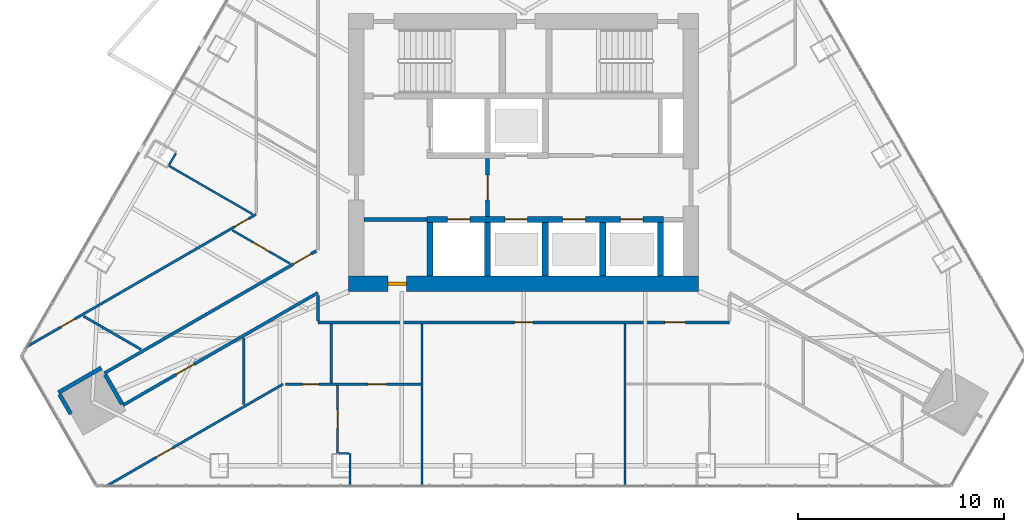
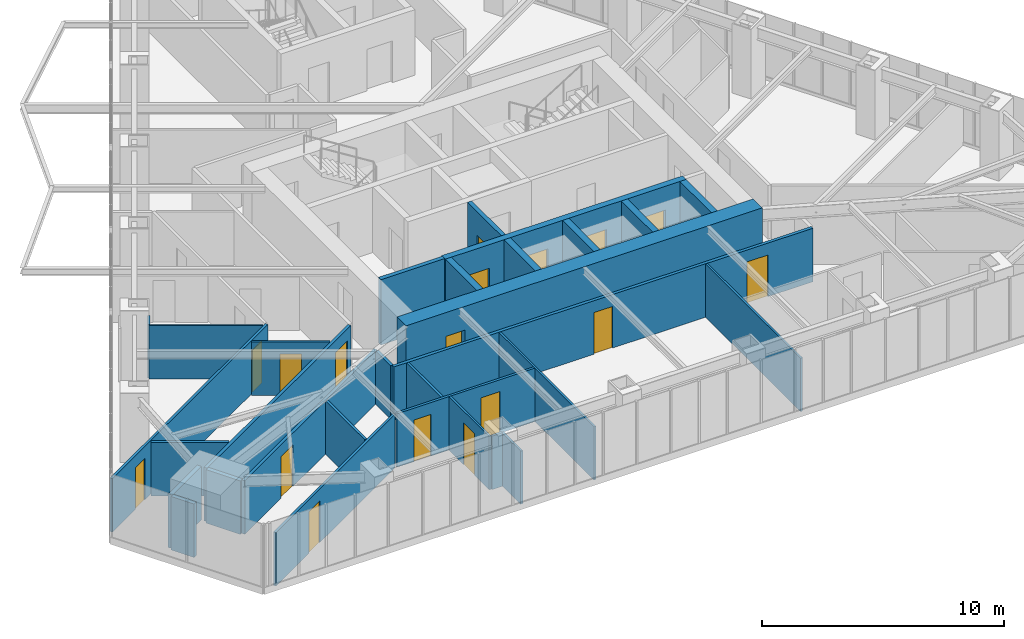
# One storey, part 14 of 19: 30 walls, 17 doors, 17 openings.
"""IFC4 building model written with IfcOpenShell, lengths in metres."""

from ifc_helpers import new_model, si_unit, direction, frame, frame_2d, origin, place, context, subcontext, project, spatial, rectangle, extrude, material, layer, layer_set, type_object, element, fill, save


model = new_model("IFC4")

# Units and contexts
model_context = context("Model", 3, precision=1e-05, world=origin(), true_north=direction((0.0, 1.0)))
body_context = subcontext(model_context, "Body", "Model", "MODEL_VIEW")
ifc_project = project(units=[si_unit("LENGTHUNIT", "METRE"), si_unit("AREAUNIT", "SQUARE_METRE"), si_unit("VOLUMEUNIT", "CUBIC_METRE"), si_unit("PLANEANGLEUNIT", "RADIAN"), si_unit("MASSUNIT", "GRAM", prefix="KILO")], contexts=[model_context])

# Site, building, storey
site_placement = place(None, origin())
site = spatial("IfcSite", under=ifc_project, at=site_placement, CompositionType="ELEMENT")
building_placement = place(site_placement, origin())
building = spatial("IfcBuilding", under=site, at=building_placement, Name="Firuza Gate Tower and Library", CompositionType="ELEMENT")
storey_placement = place(building_placement, frame((0.0, 0.0, 316.10009765625)))
storey = spatial("IfcBuildingStorey", under=building, at=storey_placement, Name="L77", CompositionType="ELEMENT", Elevation=316.10009765625)

# Wall
ifc_material_1 = material(Name="Plasterboard on steel studs", Category="steel")
ifc_layer_1 = layer(ifc_material_1, 0.199951171875)
ifc_layer_set_1 = layer_set([ifc_layer_1], Name="Core partition 200 EI 60")
wall_type_1 = type_object("IfcWallType", Name="Core partition 200 EI 60", PredefinedType="PARTITIONING", material=ifc_layer_set_1)
wall_1_placement = place(storey_placement, frame((67.25, 71.75, 0.0), z_axis=(0.0, 0.0, 1.0), x_axis=(1.0, 0.0, 0.0)))
element("IfcWall", 1, at=wall_1_placement, inside=storey, type_object=wall_type_1, Name="Core partition L77 1", PredefinedType="PARTITIONING", context=body_context, shape_type="SweptSolid", body=[
    extrude(rectangle(XDim=3.050048828125, YDim=0.199951171875, at=frame_2d((1.52490234375, 0.0))), origin(), (0.0, 0.0, 1.0), 3.2998046875),
])

# Wall, opening, door
wall_2_placement = place(storey_placement, frame((73.25, 71.89990234375, 0.0), z_axis=(0.0, 0.0, 1.0), x_axis=(0.0, 1.0, 0.0)))
wall_2 = element("IfcWall", 2, at=wall_2_placement, inside=storey, type_object=wall_type_1, Name="Core partition L77 4", PredefinedType="PARTITIONING", context=body_context, shape_type="SweptSolid", body=[
    extrude(rectangle(XDim=2.800048828125, YDim=0.199951171875, at=frame_2d((1.39990234375, 0.0))), origin(), (0.0, 0.0, 1.0), 3.2998046875),
])
opening_1_placement = place(wall_2_placement, frame((0.800048828125, 0.0, 0.0)))
opening_1 = element("IfcOpeningElement", 3, at=opening_1_placement, cuts=wall_2, Name="Opening L77-K14", PredefinedType="OPENING", context=body_context, shape_type="SweptSolid", body=[
    extrude(rectangle(XDim=1.199951171875, YDim=2.10009765625, at=frame_2d((0.60009765625, 1.050048828125))), frame((0.0, 0.10986328125, 0.0), z_axis=(0.0, -1.0, 0.0), x_axis=(1.0, 0.0, 0.0)), (0.0, 0.0, 1.0), 0.219970703125),
])
ifc_material_2 = material(Name="Steel", Category="steel")
door_type_1 = type_object("IfcDoorType", Name="Fire door 1200x2100 FD90S", OperationType="NOTDEFINED", PredefinedType="DOOR", material=ifc_material_2)
door_1_placement = place(opening_1_placement, origin())
door_1 = element("IfcDoor", 4, at=door_1_placement, inside=storey, type_object=door_type_1, Name="Door L77-K14", OperationType="SINGLE_SWING_LEFT", OverallHeight=2.10009765625, OverallWidth=1.199951171875, PredefinedType="DOOR", context=body_context, shape_type="SweptSolid", body=[
    extrude(rectangle(XDim=1.199951171875, YDim=2.10009765625, at=frame_2d((0.60009765625, 1.050048828125))), frame((0.0, 0.02490234375, 0.0), z_axis=(0.0, -1.0, 0.0), x_axis=(1.0, 0.0, 0.0)), (0.0, 0.0, 1.0), 0.050048828125),
])
fill(opening_1, door_1)

# Wall, openings, doors
ifc_material_3 = material(Name="Concrete C60/75", Category="concrete")
ifc_layer_2 = layer(ifc_material_3, 0.300048828125)
ifc_layer_set_2 = layer_set([ifc_layer_2], Name="Core wall 300 C60/75")
wall_type_2 = type_object("IfcWallType", Name="Core wall 300 C60/75", PredefinedType="SHEAR", material=ifc_layer_set_2)
wall_3_placement = place(storey_placement, frame((70.300048828125, 71.75, 0.0), z_axis=(0.0, 0.0, 1.0), x_axis=(1.0, 0.0, 0.0)))
wall_3 = element("IfcWall", 5, at=wall_3_placement, inside=storey, type_object=wall_type_2, Name="Core wall L77 5", PredefinedType="SHEAR", context=body_context, shape_type="SweptSolid", body=[
    extrude(rectangle(XDim=11.5, YDim=0.300048828125, at=frame_2d((5.75, 0.0))), origin(), (0.0, 0.0, 1.0), 3.2998046875),
])
opening_2_placement = place(wall_3_placement, frame((1.0, 0.0, 0.0)))
opening_2 = element("IfcOpeningElement", 6, at=opening_2_placement, cuts=wall_3, Name="Opening LD-FF1-L77", PredefinedType="OPENING", context=body_context, shape_type="SweptSolid", body=[
    extrude(rectangle(XDim=1.10009765625, YDim=2.10009765625, at=frame_2d((0.550048828125, 1.050048828125))), frame((0.0, 0.16015625, 0.0), z_axis=(0.0, -1.0, 0.0), x_axis=(1.0, 0.0, 0.0)), (0.0, 0.0, 1.0), 0.320068359375),
])
opening_3_placement = place(wall_3_placement, frame((3.800048828125, 0.0, 0.0)))
opening_3 = element("IfcOpeningElement", 7, at=opening_3_placement, cuts=wall_3, Name="Opening LD-HR1-L77", PredefinedType="OPENING", context=body_context, shape_type="SweptSolid", body=[
    extrude(rectangle(XDim=1.10009765625, YDim=2.10009765625, at=frame_2d((0.550048828125, 1.050048828125))), frame((0.0, 0.16015625, 0.0), z_axis=(0.0, -1.0, 0.0), x_axis=(1.0, 0.0, 0.0)), (0.0, 0.0, 1.0), 0.320068359375),
])
opening_4_placement = place(wall_3_placement, frame((6.60009765625, 0.0, 0.0)))
opening_4 = element("IfcOpeningElement", 8, at=opening_4_placement, cuts=wall_3, Name="Opening LD-HR2-L77", PredefinedType="OPENING", context=body_context, shape_type="SweptSolid", body=[
    extrude(rectangle(XDim=1.10009765625, YDim=2.10009765625, at=frame_2d((0.550048828125, 1.050048828125))), frame((0.0, 0.16015625, 0.0), z_axis=(0.0, -1.0, 0.0), x_axis=(1.0, 0.0, 0.0)), (0.0, 0.0, 1.0), 0.320068359375),
])
opening_5_placement = place(wall_3_placement, frame((9.39990234375, 0.0, 0.0)))
opening_5 = element("IfcOpeningElement", 9, at=opening_5_placement, cuts=wall_3, Name="Opening LD-HR3-L77", PredefinedType="OPENING", context=body_context, shape_type="SweptSolid", body=[
    extrude(rectangle(XDim=1.10009765625, YDim=2.10009765625, at=frame_2d((0.550048828125, 1.050048828125))), frame((0.0, 0.16015625, 0.0), z_axis=(0.0, -1.0, 0.0), x_axis=(1.0, 0.0, 0.0)), (0.0, 0.0, 1.0), 0.320068359375),
])
ifc_material_4 = material(Name="Stainless steel", Category="steel")
door_type_2 = type_object("IfcDoorType", Name="Lift landing door 1100x2100", OperationType="DOUBLE_DOOR_SLIDING", PredefinedType="DOOR", material=ifc_material_4)
door_2_placement = place(opening_2_placement, origin())
door_2 = element("IfcDoor", 10, at=door_2_placement, inside=storey, type_object=door_type_2, Name="Landing door FF1 L77", OperationType="DOUBLE_DOOR_SLIDING", OverallHeight=2.10009765625, OverallWidth=1.10009765625, PredefinedType="DOOR", context=body_context, shape_type="SweptSolid", body=[
    extrude(rectangle(XDim=1.10009765625, YDim=2.10009765625, at=frame_2d((0.550048828125, 1.050048828125))), frame((0.0, 0.02490234375, 0.0), z_axis=(0.0, -1.0, 0.0), x_axis=(1.0, 0.0, 0.0)), (0.0, 0.0, 1.0), 0.050048828125),
])
fill(opening_2, door_2)
door_3_placement = place(opening_3_placement, origin())
door_3 = element("IfcDoor", 11, at=door_3_placement, inside=storey, type_object=door_type_2, Name="Landing door HR1 L77", OperationType="DOUBLE_DOOR_SLIDING", OverallHeight=2.10009765625, OverallWidth=1.10009765625, PredefinedType="DOOR", context=body_context, shape_type="SweptSolid", body=[
    extrude(rectangle(XDim=1.10009765625, YDim=2.10009765625, at=frame_2d((0.550048828125, 1.050048828125))), frame((0.0, 0.02490234375, 0.0), z_axis=(0.0, -1.0, 0.0), x_axis=(1.0, 0.0, 0.0)), (0.0, 0.0, 1.0), 0.050048828125),
])
fill(opening_3, door_3)
door_4_placement = place(opening_4_placement, origin())
door_4 = element("IfcDoor", 12, at=door_4_placement, inside=storey, type_object=door_type_2, Name="Landing door HR2 L77", OperationType="DOUBLE_DOOR_SLIDING", OverallHeight=2.10009765625, OverallWidth=1.10009765625, PredefinedType="DOOR", context=body_context, shape_type="SweptSolid", body=[
    extrude(rectangle(XDim=1.10009765625, YDim=2.10009765625, at=frame_2d((0.550048828125, 1.050048828125))), frame((0.0, 0.02490234375, 0.0), z_axis=(0.0, -1.0, 0.0), x_axis=(1.0, 0.0, 0.0)), (0.0, 0.0, 1.0), 0.050048828125),
])
fill(opening_4, door_4)
door_5_placement = place(opening_5_placement, origin())
door_5 = element("IfcDoor", 13, at=door_5_placement, inside=storey, type_object=door_type_2, Name="Landing door HR3 L77", OperationType="DOUBLE_DOOR_SLIDING", OverallHeight=2.10009765625, OverallWidth=1.10009765625, PredefinedType="DOOR", context=body_context, shape_type="SweptSolid", body=[
    extrude(rectangle(XDim=1.10009765625, YDim=2.10009765625, at=frame_2d((0.550048828125, 1.050048828125))), frame((0.0, 0.02490234375, 0.0), z_axis=(0.0, -1.0, 0.0), x_axis=(1.0, 0.0, 0.0)), (0.0, 0.0, 1.0), 0.050048828125),
])
fill(opening_5, door_5)

# Walls
for number, where, z_axis, x_axis, name in (
    (14, (70.449951171875, 69.0, 0.0), (0.0, 0.0, 1.0), (0.0, 1.0, 0.0), "Core wall L77 7"),
    (15, (73.25, 69.0, 0.0), (0.0, 0.0, 1.0), (0.0, 1.0, 0.0), "Core wall L77 9"),
    (16, (76.050048828125, 69.0, 0.0), (0.0, 0.0, 1.0), (0.0, 1.0, 0.0), "Core wall L77 11"),
    (17, (78.85009765625, 69.0, 0.0), (0.0, 0.0, 1.0), (0.0, 1.0, 0.0), "Core wall L77 13"),
    (18, (81.64990234375, 69.0, 0.0), (0.0, 0.0, 1.0), (0.0, 1.0, 0.0), "Core wall L77 14"),
):
    element("IfcWall", number, at=place(storey_placement, frame(where, z_axis=z_axis, x_axis=x_axis)), inside=storey, type_object=wall_type_2, Name=name, PredefinedType="SHEAR", context=body_context, shape_type="SweptSolid", body=[
        extrude(rectangle(XDim=2.60009765625, YDim=0.300048828125, at=frame_2d((1.300048828125, 0.0))), origin(), (0.0, 0.0, 1.0), 3.2998046875),
    ])

# Wall, opening, door
ifc_material_5 = material(Name="Concrete C60/75", Category="concrete")
ifc_layer_3 = layer(ifc_material_5, 0.75)
ifc_layer_set_3 = layer_set([ifc_layer_3], Name="Core wall 750 C60/75")
wall_type_3 = type_object("IfcWallType", Name="Core wall 750 C60/75", PredefinedType="SHEAR", material=ifc_layer_set_3)
wall_4_placement = place(storey_placement, frame((66.5, 68.625, 0.0), z_axis=(0.0, 0.0, 1.0), x_axis=(1.0, 0.0, 0.0)))
wall_4 = element("IfcWall", 19, at=wall_4_placement, inside=storey, type_object=wall_type_3, Name="Core wall L77 1", PredefinedType="SHEAR", context=body_context, shape_type="SweptSolid", body=[
    extrude(rectangle(XDim=17.0, YDim=0.75, at=frame_2d((8.5, 0.0))), origin(), (0.0, 0.0, 1.0), 3.2998046875),
])
opening_6_placement = place(wall_4_placement, frame((1.89990234375, 0.0, 0.0)))
opening_6 = element("IfcOpeningElement", 20, at=opening_6_placement, cuts=wall_4, Name="Opening L77-K17", PredefinedType="OPENING", context=body_context, shape_type="SweptSolid", body=[
    extrude(rectangle(XDim=0.89990234375, YDim=2.10009765625, at=frame_2d((0.449951171875, 1.050048828125))), frame((0.0, 0.385009765625, 0.0), z_axis=(0.0, -1.0, 0.0), x_axis=(1.0, 0.0, 0.0)), (0.0, 0.0, 1.0), 0.77001953125),
])
ifc_material_6 = material(Name="Steel", Category="steel")
door_type_3 = type_object("IfcDoorType", Name="Fire door 900x2100 FD30S", OperationType="NOTDEFINED", PredefinedType="DOOR", material=ifc_material_6)
door_6_placement = place(opening_6_placement, origin())
door_6 = element("IfcDoor", 21, at=door_6_placement, inside=storey, type_object=door_type_3, Name="Door L77-K17", OperationType="SINGLE_SWING_RIGHT", OverallHeight=2.10009765625, OverallWidth=0.89990234375, PredefinedType="DOOR", context=body_context, shape_type="SweptSolid", body=[
    extrude(rectangle(XDim=0.89990234375, YDim=2.10009765625, at=frame_2d((0.449951171875, 1.050048828125))), frame((0.0, 0.094970703125, 0.0), z_axis=(0.0, -1.0, 0.0), x_axis=(1.0, 0.0, 0.0)), (0.0, 0.0, 1.0), 0.18994140625),
])
fill(opening_6, door_6)

# Wall, openings, doors
ifc_material_7 = material(Name="Gypsum board partition")
ifc_layer_4 = layer(ifc_material_7, 0.14990234375)
ifc_layer_set_4 = layer_set([ifc_layer_4], Name="Corridor wall 150 double board on steel studs")
wall_type_4 = type_object("IfcWallType", Name="Corridor wall 150 double board on steel studs", PredefinedType="PARTITIONING", material=ifc_layer_set_4)
wall_5_placement = place(storey_placement, frame((85.0, 66.75, 0.0), z_axis=(0.0, 0.0, 1.0), x_axis=(-1.0, 0.0, 0.0)))
wall_5 = element("IfcWall", 22, at=wall_5_placement, inside=storey, type_object=wall_type_4, Name="f:L77:w004", PredefinedType="PARTITIONING", context=body_context, shape_type="SweptSolid", body=[
    extrude(rectangle(XDim=20.0, YDim=0.14990234375, at=frame_2d((10.0, 0.0))), origin(), (0.0, 0.0, 1.0), 2.699951171875),
])
opening_7_placement = place(wall_5_placement, frame((2.134765625, 0.0, 0.0)))
opening_7 = element("IfcOpeningElement", 23, at=opening_7_placement, cuts=wall_5, Name="Opening L77-04", PredefinedType="OPENING", context=body_context, shape_type="SweptSolid", body=[
    extrude(rectangle(XDim=1.0, YDim=2.10009765625, at=frame_2d((0.5, 1.050048828125))), frame((0.0, 0.0849609375, 0.0), z_axis=(0.0, -1.0, 0.0), x_axis=(1.0, 0.0, 0.0)), (0.0, 0.0, 1.0), 0.169921875),
])
opening_8_placement = place(wall_5_placement, frame((9.550048828125, 0.0, 0.0)))
opening_8 = element("IfcOpeningElement", 24, at=opening_8_placement, cuts=wall_5, Name="Opening L77-05", PredefinedType="OPENING", context=body_context, shape_type="SweptSolid", body=[
    extrude(rectangle(XDim=0.89990234375, YDim=2.10009765625, at=frame_2d((0.449951171875, 1.050048828125))), frame((0.0, 0.0849609375, 0.0), z_axis=(0.0, -1.0, 0.0), x_axis=(1.0, 0.0, 0.0)), (0.0, 0.0, 1.0), 0.169921875),
])
ifc_material_8 = material(Name="Steel door and timber leaf", Category="steel")
door_type_4 = type_object("IfcDoorType", Name="Fire door 1000 x 2100 steel frame, timber leaf", OperationType="NOTDEFINED", PredefinedType="DOOR", material=ifc_material_8)
door_7_placement = place(opening_7_placement, origin())
door_7 = element("IfcDoor", 25, at=door_7_placement, inside=storey, type_object=door_type_4, Name="f:L77:d004", OperationType="SINGLE_SWING_LEFT", OverallHeight=2.10009765625, OverallWidth=1.0, PredefinedType="DOOR", context=body_context, shape_type="SweptSolid", body=[
    extrude(rectangle(XDim=1.0, YDim=2.10009765625, at=frame_2d((0.5, 1.050048828125))), frame((0.0, 0.02490234375, 0.0), z_axis=(0.0, -1.0, 0.0), x_axis=(1.0, 0.0, 0.0)), (0.0, 0.0, 1.0), 0.050048828125),
])
fill(opening_7, door_7)
ifc_material_9 = material(Name="Steel door and timber leaf", Category="steel")
door_type_5 = type_object("IfcDoorType", Name="Fire door 900 x 2100 steel frame, timber leaf", OperationType="NOTDEFINED", PredefinedType="DOOR", material=ifc_material_9)
door_8_placement = place(opening_8_placement, origin())
door_8 = element("IfcDoor", 26, at=door_8_placement, inside=storey, type_object=door_type_5, Name="f:L77:d005", OperationType="SINGLE_SWING_LEFT", OverallHeight=2.10009765625, OverallWidth=0.89990234375, PredefinedType="DOOR", context=body_context, shape_type="SweptSolid", body=[
    extrude(rectangle(XDim=0.89990234375, YDim=2.10009765625, at=frame_2d((0.449951171875, 1.050048828125))), frame((0.0, 0.02490234375, 0.0), z_axis=(0.0, -1.0, 0.0), x_axis=(1.0, 0.0, 0.0)), (0.0, 0.0, 1.0), 0.050048828125),
])
fill(opening_8, door_8)

# Wall, opening, door
wall_6_placement = place(storey_placement, frame((65.0, 68.187255859375, 0.0), z_axis=(0.0, 0.0, 1.0), x_axis=(-0.866028339337, -0.499994915439, 0.0)))
wall_6 = element("IfcWall", 27, at=wall_6_placement, inside=storey, type_object=wall_type_4, Name="f:L77:w016", PredefinedType="PARTITIONING", context=body_context, shape_type="SweptSolid", body=[
    extrude(rectangle(XDim=10.9365234375, YDim=0.14990234375, at=frame_2d((5.46826171875, 0.0))), origin(), (0.0, 0.0, 1.0), 2.697021484375),
])
opening_9_placement = place(wall_6_placement, frame((6.943359375, 0.0, 0.0)))
opening_9 = element("IfcOpeningElement", 28, at=opening_9_placement, cuts=wall_6, Name="Opening L77-10", PredefinedType="OPENING", context=body_context, shape_type="SweptSolid", body=[
    extrude(rectangle(XDim=1.0, YDim=2.10009765625, at=frame_2d((0.5, 1.050048828125))), frame((0.0, 0.0849609375, 0.0), z_axis=(0.0, -1.0, 0.0), x_axis=(1.0, 0.0, 0.0)), (0.0, 0.0, 1.0), 0.169921875),
])
door_9_placement = place(opening_9_placement, origin())
door_9 = element("IfcDoor", 29, at=door_9_placement, inside=storey, type_object=door_type_4, Name="f:L77:d010", OperationType="SINGLE_SWING_LEFT", OverallHeight=2.10009765625, OverallWidth=1.0, PredefinedType="DOOR", context=body_context, shape_type="SweptSolid", body=[
    extrude(rectangle(XDim=1.0, YDim=2.10009765625, at=frame_2d((0.5, 1.050048828125))), frame((0.0, 0.02490234375, 0.0), z_axis=(0.0, -1.0, 0.0), x_axis=(1.0, 0.0, 0.0)), (0.0, 0.0, 1.0), 0.050048828125),
])
fill(opening_9, door_9)

wall_7_placement = place(storey_placement, frame((54.6279296875, 64.277587890625, 0.0), z_axis=(0.0, 0.0, 1.0), x_axis=(0.866033426221, 0.499986104476, 0.0)))
wall_7 = element("IfcWall", 30, at=wall_7_placement, inside=storey, type_object=wall_type_4, Name="f:L77:w017", PredefinedType="PARTITIONING", context=body_context, shape_type="SweptSolid", body=[
    extrude(rectangle(XDim=11.889892578125, YDim=0.14990234375, at=frame_2d((5.94482421875, 0.0))), origin(), (0.0, 0.0, 1.0), 2.699951171875),
])
opening_10_placement = place(wall_7_placement, frame((10.611572265625, 0.0, 0.0)))
opening_10 = element("IfcOpeningElement", 31, at=opening_10_placement, cuts=wall_7, Name="Opening L77-11", PredefinedType="OPENING", context=body_context, shape_type="SweptSolid", body=[
    extrude(rectangle(XDim=1.0, YDim=2.10009765625, at=frame_2d((0.5, 1.050048828125))), frame((0.0, 0.0849609375, 0.0), z_axis=(0.0, -1.0, 0.0), x_axis=(1.0, 0.0, 0.0)), (0.0, 0.0, 1.0), 0.169921875),
])
door_10_placement = place(opening_10_placement, origin())
door_10 = element("IfcDoor", 32, at=door_10_placement, inside=storey, type_object=door_type_4, Name="f:L77:d011", OperationType="SINGLE_SWING_RIGHT", OverallHeight=2.10009765625, OverallWidth=1.0, PredefinedType="DOOR", context=body_context, shape_type="SweptSolid", body=[
    extrude(rectangle(XDim=1.0, YDim=2.10009765625, at=frame_2d((0.5, 1.050048828125))), frame((0.0, 0.02490234375, 0.0), z_axis=(0.0, -1.0, 0.0), x_axis=(1.0, 0.0, 0.0)), (0.0, 0.0, 1.0), 0.050048828125),
])
fill(opening_10, door_10)

# Walls
wall_8_placement = place(storey_placement, frame((65.0, 66.824951171875, 0.0), z_axis=(0.0, 0.0, 1.0), x_axis=(0.0, 1.0, 0.0)))
element("IfcWall", 33, at=wall_8_placement, inside=storey, type_object=wall_type_4, Name="f:L77:w045", PredefinedType="PARTITIONING", context=body_context, shape_type="SweptSolid", body=[
    extrude(rectangle(XDim=1.225830078125, YDim=0.14990234375, at=frame_2d((0.61279296875, 0.0))), origin(), (0.0, 0.0, 1.0), 2.697021484375),
])
ifc_material_10 = material(Name="Gypsum board partition")
ifc_layer_5 = layer(ifc_material_10, 0.199951171875)
ifc_layer_set_5 = layer_set([ifc_layer_5], Name="Demising wall 200 acoustic double stud")
wall_type_5 = type_object("IfcWallType", Name="Demising wall 200 acoustic double stud", PredefinedType="PARTITIONING", material=ifc_layer_set_5)
wall_9_placement = place(storey_placement, frame((52.399658203125, 63.33740234375, 0.0), z_axis=(0.0, 0.0, 1.0), x_axis=(0.866024647952, 0.500001309137, 0.0)))
element("IfcWall", 34, at=wall_9_placement, inside=storey, type_object=wall_type_5, Name="f:L77:w019", PredefinedType="PARTITIONING", context=body_context, shape_type="SweptSolid", body=[
    extrude(rectangle(XDim=2.39990234375, YDim=0.199951171875, at=frame_2d((1.199951171875, 0.0))), origin(), (0.0, 0.0, 1.0), 2.699951171875),
])
wall_10_placement = place(storey_placement, frame((55.490234375, 62.783935546875, 0.0), z_axis=(0.0, 0.0, 1.0), x_axis=(-0.499970888758, 0.866042210515, 0.0)))
element("IfcWall", 35, at=wall_10_placement, inside=storey, type_object=wall_type_5, Name="f:L77:w049", PredefinedType="PARTITIONING", context=body_context, shape_type="SweptSolid", body=[
    extrude(rectangle(XDim=1.64453125, YDim=0.199951171875, at=frame_2d((0.822265625, 0.0))), origin(), (0.0, 0.0, 1.0), 2.697021484375),
])
wall_11_placement = place(storey_placement, frame((52.99951171875, 62.298095703125, 0.0), z_axis=(0.0, 0.0, 1.0), x_axis=(-0.50002983664, 0.866008176907, 0.0)))
element("IfcWall", 36, at=wall_11_placement, inside=storey, type_object=wall_type_5, Name="f:L77:w050", PredefinedType="PARTITIONING", context=body_context, shape_type="SweptSolid", body=[
    extrude(rectangle(XDim=1.10009765625, YDim=0.199951171875, at=frame_2d((0.550048828125, 0.0))), origin(), (0.0, 0.0, 1.0), 2.699951171875),
])
ifc_material_11 = material(Name="Gypsum board partition")
ifc_layer_6 = layer(ifc_material_11, 0.10009765625)
ifc_layer_set_6 = layer_set([ifc_layer_6], Name="Partition 100 gypsum board on steel studs")
wall_type_6 = type_object("IfcWallType", Name="Partition 100 gypsum board on steel studs", PredefinedType="PARTITIONING", material=ifc_layer_set_6)
wall_12_placement = place(storey_placement, frame((66.019775390625, 60.3798828125, 0.0), z_axis=(0.0, 0.0, 1.0), x_axis=(1.0, 0.0, 0.0)))
element("IfcWall", 37, at=wall_12_placement, inside=storey, type_object=wall_type_6, Name="f:L77:w000", PredefinedType="PARTITIONING", context=body_context, shape_type="SweptSolid", body=[
    extrude(rectangle(XDim=0.500244140625, YDim=0.10009765625, at=frame_2d((0.25, 0.0))), origin(), (0.0, 0.0, 1.0), 2.699951171875),
])
wall_13_placement = place(storey_placement, frame((57.775634765625, 74.406494140625, 0.0), z_axis=(0.0, 0.0, 1.0), x_axis=(0.500246099629, 0.865883271467, 0.0)))
element("IfcWall", 38, at=wall_13_placement, inside=storey, type_object=wall_type_6, Name="f:L77:w024", PredefinedType="PARTITIONING", context=body_context, shape_type="SweptSolid", body=[
    extrude(rectangle(XDim=0.645751953125, YDim=0.10009765625, at=frame_2d((0.32275390625, 0.0))), origin(), (0.0, 0.0, 1.0), 2.699951171875),
])
for number, where, z_axis, x_axis, name in (
    (39, (79.93310546875, 58.8203125, 0.0), (0.0, 0.0, 1.0), (0.0, 1.0, 0.0), "f:L77:w034"),
    (40, (70.06689453125, 58.8203125, 0.0), (0.0, 0.0, 1.0), (0.0, 1.0, 0.0), "f:L77:w041"),
):
    element("IfcWall", number, at=place(storey_placement, frame(where, z_axis=z_axis, x_axis=x_axis)), inside=storey, type_object=wall_type_6, Name=name, PredefinedType="PARTITIONING", context=body_context, shape_type="SweptSolid", body=[
        extrude(rectangle(XDim=7.854736328125, YDim=0.10009765625, at=frame_2d((3.92724609375, 0.0))), origin(), (0.0, 0.0, 1.0), 2.68798828125),
    ])
wall_14_placement = place(storey_placement, frame((66.570068359375, 58.8203125, 0.0), z_axis=(0.0, 0.0, 1.0), x_axis=(0.0, 1.0, 0.0)))
element("IfcWall", 41, at=wall_14_placement, inside=storey, type_object=wall_type_6, Name="f:L77:w042", PredefinedType="PARTITIONING", context=body_context, shape_type="SweptSolid", body=[
    extrude(rectangle(XDim=1.56005859375, YDim=0.10009765625, at=frame_2d((0.780029296875, 0.0))), origin(), (0.0, 0.0, 1.0), 2.68798828125),
])

# Wall, opening, door
wall_15_placement = place(storey_placement, frame((65.9599609375, 63.68994140625, 0.0), z_axis=(0.0, 0.0, 1.0), x_axis=(0.0, -1.0, 0.0)))
wall_15 = element("IfcWall", 42, at=wall_15_placement, inside=storey, type_object=wall_type_6, Name="f:L77:w043", PredefinedType="PARTITIONING", context=body_context, shape_type="SweptSolid", body=[
    extrude(rectangle(XDim=3.3095703125, YDim=0.10009765625, at=frame_2d((1.65478515625, 0.0))), origin(), (0.0, 0.0, 1.0), 2.699951171875),
])
opening_11_placement = place(wall_15_placement, frame((1.204833984375, 0.0, 0.0)))
opening_11 = element("IfcOpeningElement", 43, at=opening_11_placement, cuts=wall_15, Name="Opening L77-19", PredefinedType="OPENING", context=body_context, shape_type="SweptSolid", body=[
    extrude(rectangle(XDim=0.89990234375, YDim=2.10009765625, at=frame_2d((0.449951171875, 1.050048828125))), frame((0.0, 0.06005859375, 0.0), z_axis=(0.0, -1.0, 0.0), x_axis=(1.0, 0.0, 0.0)), (0.0, 0.0, 1.0), 0.1201171875),
])
ifc_material_12 = material(Name="Timber door", Category="wood")
door_type_6 = type_object("IfcDoorType", Name="Door 900 x 2100 timber leaf", OperationType="NOTDEFINED", PredefinedType="DOOR", material=ifc_material_12)
door_11_placement = place(opening_11_placement, origin())
door_11 = element("IfcDoor", 44, at=door_11_placement, inside=storey, type_object=door_type_6, Name="f:L77:d019", OperationType="SINGLE_SWING_RIGHT", OverallHeight=2.10009765625, OverallWidth=0.89990234375, PredefinedType="DOOR", context=body_context, shape_type="SweptSolid", body=[
    extrude(rectangle(XDim=0.89990234375, YDim=2.10009765625, at=frame_2d((0.449951171875, 1.050048828125))), frame((0.0, 0.02490234375, 0.0), z_axis=(0.0, -1.0, 0.0), x_axis=(1.0, 0.0, 0.0)), (0.0, 0.0, 1.0), 0.050048828125),
])
fill(opening_11, door_11)

# Wall
wall_16_placement = place(storey_placement, frame((61.837158203125, 72.0029296875, 0.0), z_axis=(0.0, 0.0, 1.0), x_axis=(-0.86602790099, 0.499995674689, 0.0)))
element("IfcWall", 45, at=wall_16_placement, inside=storey, type_object=wall_type_6, Name="f:L77:w062", PredefinedType="PARTITIONING", context=body_context, shape_type="SweptSolid", body=[
    extrude(rectangle(XDim=4.71826171875, YDim=0.10009765625, at=frame_2d((2.359130859375, 0.0))), origin(), (0.0, 0.0, 1.0), 2.699951171875),
])

# Wall, opening, door
wall_17_placement = place(storey_placement, frame((63.652099609375, 69.604248046875, 0.0), z_axis=(0.0, 0.0, 1.0), x_axis=(-0.866032882975, 0.499987045439, 0.0)))
wall_17 = element("IfcWall", 46, at=wall_17_placement, inside=storey, type_object=wall_type_6, Name="f:L77:w063", PredefinedType="PARTITIONING", context=body_context, shape_type="SweptSolid", body=[
    extrude(rectangle(XDim=3.248046875, YDim=0.10009765625, at=frame_2d((1.6240234375, 0.0))), origin(), (0.0, 0.0, 1.0), 2.699951171875),
])
opening_12_placement = place(wall_17_placement, frame((1.174072265625, 0.0, 0.0)))
opening_12 = element("IfcOpeningElement", 47, at=opening_12_placement, cuts=wall_17, Name="Opening L77-27", PredefinedType="OPENING", context=body_context, shape_type="SweptSolid", body=[
    extrude(rectangle(XDim=0.89990234375, YDim=2.10009765625, at=frame_2d((0.449951171875, 1.050048828125))), frame((0.0, 0.06005859375, 0.0), z_axis=(0.0, -1.0, 0.0), x_axis=(1.0, 0.0, 0.0)), (0.0, 0.0, 1.0), 0.1201171875),
])
door_12_placement = place(opening_12_placement, origin())
door_12 = element("IfcDoor", 48, at=door_12_placement, inside=storey, type_object=door_type_6, Name="f:L77:d027", OperationType="SINGLE_SWING_RIGHT", OverallHeight=2.10009765625, OverallWidth=0.89990234375, PredefinedType="DOOR", context=body_context, shape_type="SweptSolid", body=[
    extrude(rectangle(XDim=0.89990234375, YDim=2.10009765625, at=frame_2d((0.449951171875, 1.050048828125))), frame((0.0, 0.02490234375, 0.0), z_axis=(0.0, -1.0, 0.0), x_axis=(1.0, 0.0, 0.0)), (0.0, 0.0, 1.0), 0.050048828125),
])
fill(opening_12, door_12)

# Wall, openings, doors
ifc_material_13 = material(Name="Gypsum board partition")
ifc_layer_7 = layer(ifc_material_13, 0.1201171875)
ifc_layer_set_7 = layer_set([ifc_layer_7], Name="Wet-area partition 120 moisture-resistant board")
wall_type_7 = type_object("IfcWallType", Name="Wet-area partition 120 moisture-resistant board", PredefinedType="PARTITIONING", material=ifc_layer_set_7)
wall_18_placement = place(storey_placement, frame((63.434326171875, 63.75, 0.0), z_axis=(0.0, 0.0, 1.0), x_axis=(1.0, 0.0, 0.0)))
wall_18 = element("IfcWall", 49, at=wall_18_placement, inside=storey, type_object=wall_type_7, Name="f:L77:w002", PredefinedType="PARTITIONING", context=body_context, shape_type="SweptSolid", body=[
    extrude(rectangle(XDim=6.582275390625, YDim=0.1201171875, at=frame_2d((3.291015625, 0.0))), origin(), (0.0, 0.0, 1.0), 2.699951171875),
])
opening_13_placement = place(wall_18_placement, frame((0.813720703125, 0.0, 0.0)))
opening_13 = element("IfcOpeningElement", 50, at=opening_13_placement, cuts=wall_18, Name="Opening L77-01", PredefinedType="OPENING", context=body_context, shape_type="SweptSolid", body=[
    extrude(rectangle(XDim=0.800048828125, YDim=2.10009765625, at=frame_2d((0.39990234375, 1.050048828125))), frame((0.0, 0.070068359375, 0.0), z_axis=(0.0, -1.0, 0.0), x_axis=(1.0, 0.0, 0.0)), (0.0, 0.0, 1.0), 0.14013671875),
])
opening_14_placement = place(wall_18_placement, frame((4.00244140625, 0.0, 0.0)))
opening_14 = element("IfcOpeningElement", 51, at=opening_14_placement, cuts=wall_18, Name="Opening L77-02", PredefinedType="OPENING", context=body_context, shape_type="SweptSolid", body=[
    extrude(rectangle(XDim=0.89990234375, YDim=2.10009765625, at=frame_2d((0.449951171875, 1.050048828125))), frame((0.0, 0.070068359375, 0.0), z_axis=(0.0, -1.0, 0.0), x_axis=(1.0, 0.0, 0.0)), (0.0, 0.0, 1.0), 0.14013671875),
])
ifc_material_14 = material(Name="Timber door", Category="wood")
door_type_7 = type_object("IfcDoorType", Name="Door 800 x 2100 timber leaf", OperationType="NOTDEFINED", PredefinedType="DOOR", material=ifc_material_14)
door_13_placement = place(opening_13_placement, origin())
door_13 = element("IfcDoor", 52, at=door_13_placement, inside=storey, type_object=door_type_7, Name="f:L77:d001", OperationType="SINGLE_SWING_RIGHT", OverallHeight=2.10009765625, OverallWidth=0.800048828125, PredefinedType="DOOR", context=body_context, shape_type="SweptSolid", body=[
    extrude(rectangle(XDim=0.800048828125, YDim=2.10009765625, at=frame_2d((0.39990234375, 1.050048828125))), frame((0.0, 0.02490234375, 0.0), z_axis=(0.0, -1.0, 0.0), x_axis=(1.0, 0.0, 0.0)), (0.0, 0.0, 1.0), 0.050048828125),
])
fill(opening_13, door_13)
door_14_placement = place(opening_14_placement, origin())
door_14 = element("IfcDoor", 53, at=door_14_placement, inside=storey, type_object=door_type_6, Name="f:L77:d002", OperationType="SINGLE_SWING_LEFT", OverallHeight=2.10009765625, OverallWidth=0.89990234375, PredefinedType="DOOR", context=body_context, shape_type="SweptSolid", body=[
    extrude(rectangle(XDim=0.89990234375, YDim=2.10009765625, at=frame_2d((0.449951171875, 1.050048828125))), frame((0.0, 0.02490234375, 0.0), z_axis=(0.0, -1.0, 0.0), x_axis=(1.0, 0.0, 0.0)), (0.0, 0.0, 1.0), 0.050048828125),
])
fill(opening_14, door_14)

# Wall, opening, door
wall_19_placement = place(storey_placement, frame((63.314453125, 63.75, 0.0), z_axis=(0.0, 0.0, 1.0), x_axis=(-0.866028066272, -0.499995388408, 0.0)))
wall_19 = element("IfcWall", 54, at=wall_19_placement, inside=storey, type_object=wall_type_7, Name="f:L77:w013", PredefinedType="PARTITIONING", context=body_context, shape_type="SweptSolid", body=[
    extrude(rectangle(XDim=9.859375, YDim=0.1201171875, at=frame_2d((4.9296875, 0.0))), origin(), (0.0, 0.0, 1.0), 2.699951171875),
])
opening_15_placement = place(wall_19_placement, frame((6.21826171875, 0.0, 0.0)))
opening_15 = element("IfcOpeningElement", 55, at=opening_15_placement, cuts=wall_19, Name="Opening L77-09", PredefinedType="OPENING", context=body_context, shape_type="SweptSolid", body=[
    extrude(rectangle(XDim=0.89990234375, YDim=2.10009765625, at=frame_2d((0.449951171875, 1.050048828125))), frame((0.0, 0.070068359375, 0.0), z_axis=(0.0, -1.0, 0.0), x_axis=(1.0, 0.0, 0.0)), (0.0, 0.0, 1.0), 0.14013671875),
])
door_15_placement = place(opening_15_placement, origin())
door_15 = element("IfcDoor", 56, at=door_15_placement, inside=storey, type_object=door_type_6, Name="f:L77:d009", OperationType="SINGLE_SWING_RIGHT", OverallHeight=2.10009765625, OverallWidth=0.89990234375, PredefinedType="DOOR", context=body_context, shape_type="SweptSolid", body=[
    extrude(rectangle(XDim=0.89990234375, YDim=2.10009765625, at=frame_2d((0.449951171875, 1.050048828125))), frame((0.0, 0.02490234375, 0.0), z_axis=(0.0, -1.0, 0.0), x_axis=(1.0, 0.0, 0.0)), (0.0, 0.0, 1.0), 0.050048828125),
])
fill(opening_15, door_15)

# Wall, openings, doors
wall_20_placement = place(storey_placement, frame((62.0, 71.997802734375, 0.0), z_axis=(0.0, 0.0, 1.0), x_axis=(-0.866023842607, -0.500002704028, 0.0)))
wall_20 = element("IfcWall", 57, at=wall_20_placement, inside=storey, type_object=wall_type_7, Name="f:L77:w020", PredefinedType="PARTITIONING", context=body_context, shape_type="SweptSolid", body=[
    extrude(rectangle(XDim=12.8447265625, YDim=0.1201171875, at=frame_2d((6.42236328125, 0.0))), origin(), (0.0, 0.0, 1.0), 2.699951171875),
])
opening_16_placement = place(wall_20_placement, frame((0.42138671875, 0.0, 0.0)))
opening_16 = element("IfcOpeningElement", 58, at=opening_16_placement, cuts=wall_20, Name="Opening L77-12", PredefinedType="OPENING", context=body_context, shape_type="SweptSolid", body=[
    extrude(rectangle(XDim=0.800048828125, YDim=2.10009765625, at=frame_2d((0.39990234375, 1.050048828125))), frame((0.0, 0.070068359375, 0.0), z_axis=(0.0, -1.0, 0.0), x_axis=(1.0, 0.0, 0.0)), (0.0, 0.0, 1.0), 0.14013671875),
])
opening_17_placement = place(wall_20_placement, frame((10.158447265625, 0.0, 0.0)))
opening_17 = element("IfcOpeningElement", 59, at=opening_17_placement, cuts=wall_20, Name="Opening L77-13", PredefinedType="OPENING", context=body_context, shape_type="SweptSolid", body=[
    extrude(rectangle(XDim=0.800048828125, YDim=2.10009765625, at=frame_2d((0.39990234375, 1.050048828125))), frame((0.0, 0.070068359375, 0.0), z_axis=(0.0, -1.0, 0.0), x_axis=(1.0, 0.0, 0.0)), (0.0, 0.0, 1.0), 0.14013671875),
])
door_16_placement = place(opening_16_placement, origin())
door_16 = element("IfcDoor", 60, at=door_16_placement, inside=storey, type_object=door_type_7, Name="f:L77:d012", OperationType="SINGLE_SWING_RIGHT", OverallHeight=2.10009765625, OverallWidth=0.800048828125, PredefinedType="DOOR", context=body_context, shape_type="SweptSolid", body=[
    extrude(rectangle(XDim=0.800048828125, YDim=2.10009765625, at=frame_2d((0.39990234375, 1.050048828125))), frame((0.0, 0.02490234375, 0.0), z_axis=(0.0, -1.0, 0.0), x_axis=(1.0, 0.0, 0.0)), (0.0, 0.0, 1.0), 0.050048828125),
])
fill(opening_16, door_16)
door_17_placement = place(opening_17_placement, origin())
door_17 = element("IfcDoor", 61, at=door_17_placement, inside=storey, type_object=door_type_7, Name="f:L77:d013", OperationType="SINGLE_SWING_RIGHT", OverallHeight=2.10009765625, OverallWidth=0.800048828125, PredefinedType="DOOR", context=body_context, shape_type="SweptSolid", body=[
    extrude(rectangle(XDim=0.800048828125, YDim=2.10009765625, at=frame_2d((0.39990234375, 1.050048828125))), frame((0.0, 0.02490234375, 0.0), z_axis=(0.0, -1.0, 0.0), x_axis=(1.0, 0.0, 0.0)), (0.0, 0.0, 1.0), 0.050048828125),
])
fill(opening_17, door_17)

# Walls
wall_21_placement = place(storey_placement, frame((65.662109375, 63.81005859375, 0.0), z_axis=(0.0, 0.0, 1.0), x_axis=(0.0, 1.0, 0.0)))
element("IfcWall", 62, at=wall_21_placement, inside=storey, type_object=wall_type_7, Name="f:L77:w044", PredefinedType="PARTITIONING", context=body_context, shape_type="SweptSolid", body=[
    extrude(rectangle(XDim=2.864990234375, YDim=0.1201171875, at=frame_2d((1.4326171875, 0.0))), origin(), (0.0, 0.0, 1.0), 2.699951171875),
])
wall_22_placement = place(storey_placement, frame((61.403076171875, 62.755859375, 0.0), z_axis=(0.0, 0.0, 1.0), x_axis=(0.0, 1.0, 0.0)))
element("IfcWall", 63, at=wall_22_placement, inside=storey, type_object=wall_type_7, Name="f:L77:w048", PredefinedType="PARTITIONING", context=body_context, shape_type="SweptSolid", body=[
    extrude(rectangle(XDim=3.228271484375, YDim=0.1201171875, at=frame_2d((1.6142578125, 0.0))), origin(), (0.0, 0.0, 1.0), 2.697021484375),
])
wall_23_placement = place(storey_placement, frame((56.410400390625, 65.43310546875, 0.0), z_axis=(0.0, 0.0, 1.0), x_axis=(-0.866000447062, 0.500043223821, 0.0)))
element("IfcWall", 64, at=wall_23_placement, inside=storey, type_object=wall_type_7, Name="f:L77:w064", PredefinedType="PARTITIONING", context=body_context, shape_type="SweptSolid", body=[
    extrude(rectangle(XDim=3.228271484375, YDim=0.1201171875, at=frame_2d((1.6142578125, 0.0))), origin(), (0.0, 0.0, 1.0), 2.699951171875),
])

save(model, "model.ifc")
